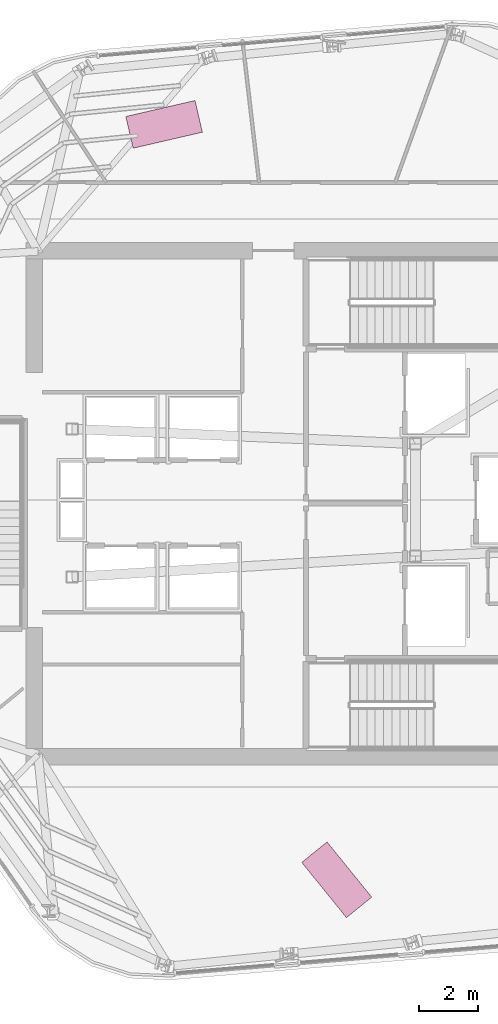
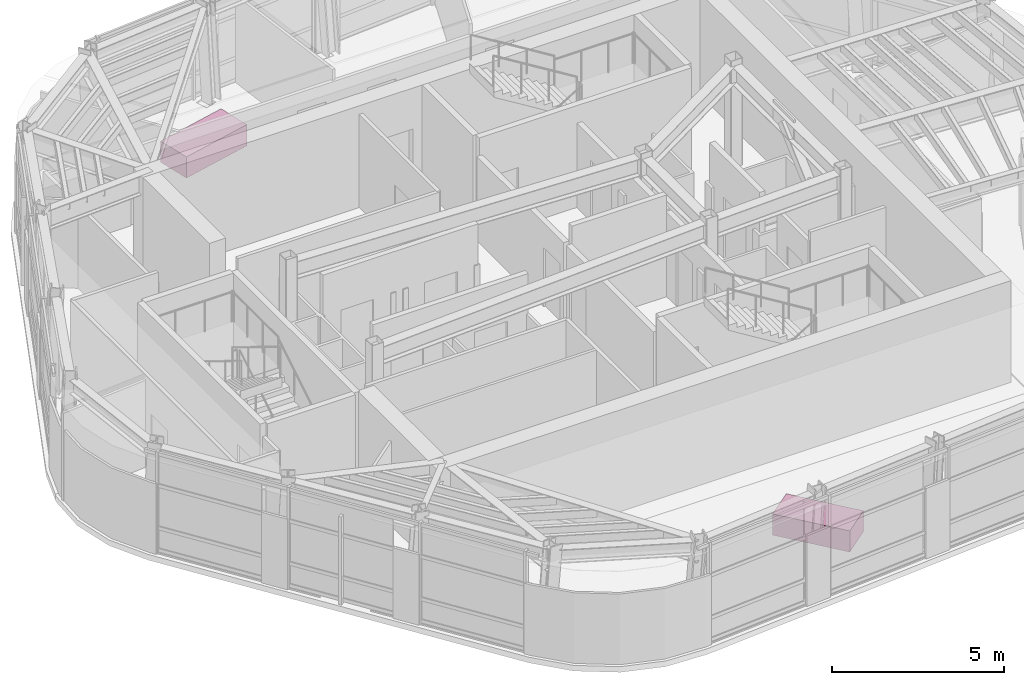
# One storey, part 14 of 14: 2 furniture elements.
"""IFC4 building model written with IfcOpenShell, lengths in metres."""

from ifc_helpers import new_model, si_unit, direction, frame, origin, origin_2d, place, context, subcontext, project, spatial, rectangle, extrude, material, type_object, element, save


model = new_model("IFC4")

# Units and contexts
model_context = context("Model", 3, precision=1e-05, world=origin(), true_north=direction((0.0, 1.0)))
body_context = subcontext(model_context, "Body", "Model", "MODEL_VIEW")
ifc_project = project(units=[si_unit("LENGTHUNIT", "METRE"), si_unit("AREAUNIT", "SQUARE_METRE"), si_unit("VOLUMEUNIT", "CUBIC_METRE"), si_unit("PLANEANGLEUNIT", "RADIAN"), si_unit("MASSUNIT", "GRAM", prefix="KILO")], contexts=[model_context])

# Site, building, storey
site_placement = place(None, origin())
site = spatial("IfcSite", under=ifc_project, at=site_placement, CompositionType="ELEMENT")
building_placement = place(site_placement, origin())
building = spatial("IfcBuilding", under=site, at=building_placement, Name="Valkerne Bourse Tower", CompositionType="ELEMENT")
storey_placement = place(building_placement, frame((0.0, 0.0, 304.0)))
storey = spatial("IfcBuildingStorey", under=building, at=storey_placement, Name="L77", CompositionType="ELEMENT", Elevation=304.0)

# Furniture
ifc_material = material(Name="Architectural White Oak Timber", Category="wood")
furniture_type = type_object("IfcFurnitureType", Name="FURN-DESK-2400", AssemblyPlace="NOTDEFINED", PredefinedType="DESK", material=ifc_material)
for number, where, z_axis, x_axis, name in (
    (1, (41.85888671875, 39.69091796875, 0.044921875), (0.0, 0.0, 1.0), (0.974370064785, 0.224951054344, 0.0), "L77 Suite Worktable 06"),
    (2, (47.69189453125, 14.1689453125, 0.044921875), (0.0, 0.0, 1.0), (-0.62932039105, 0.777145961457, 0.0), "L77 Suite Worktable 10"),
):
    element("IfcFurniture", number, at=place(storey_placement, frame(where, z_axis=z_axis, x_axis=x_axis)), inside=storey, type_object=furniture_type, Name=name, PredefinedType="DESK", context=body_context, shape_type="SweptSolid", body=[
        extrude(rectangle(XDim=2.39990234375, YDim=1.10009765625, at=origin_2d()), origin(), (0.0, 0.0, 1.0), 0.75),
    ])

save(model, "model.ifc")
